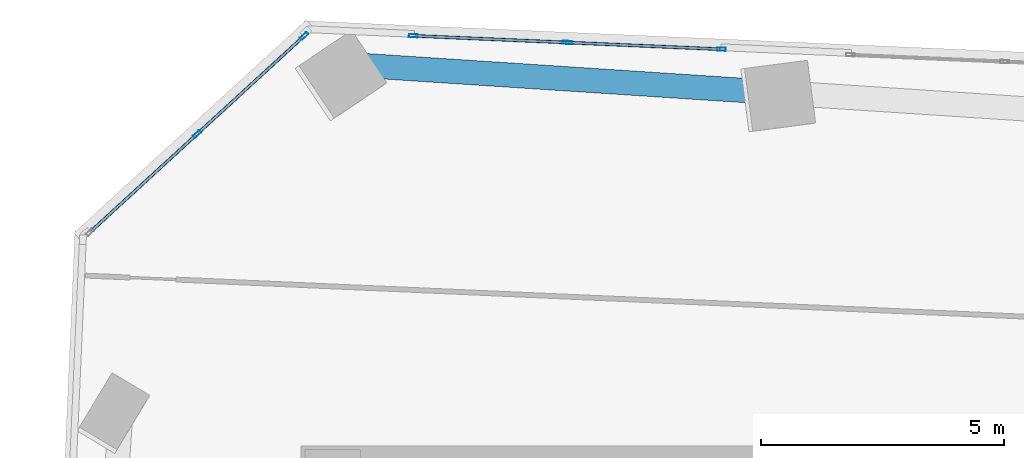
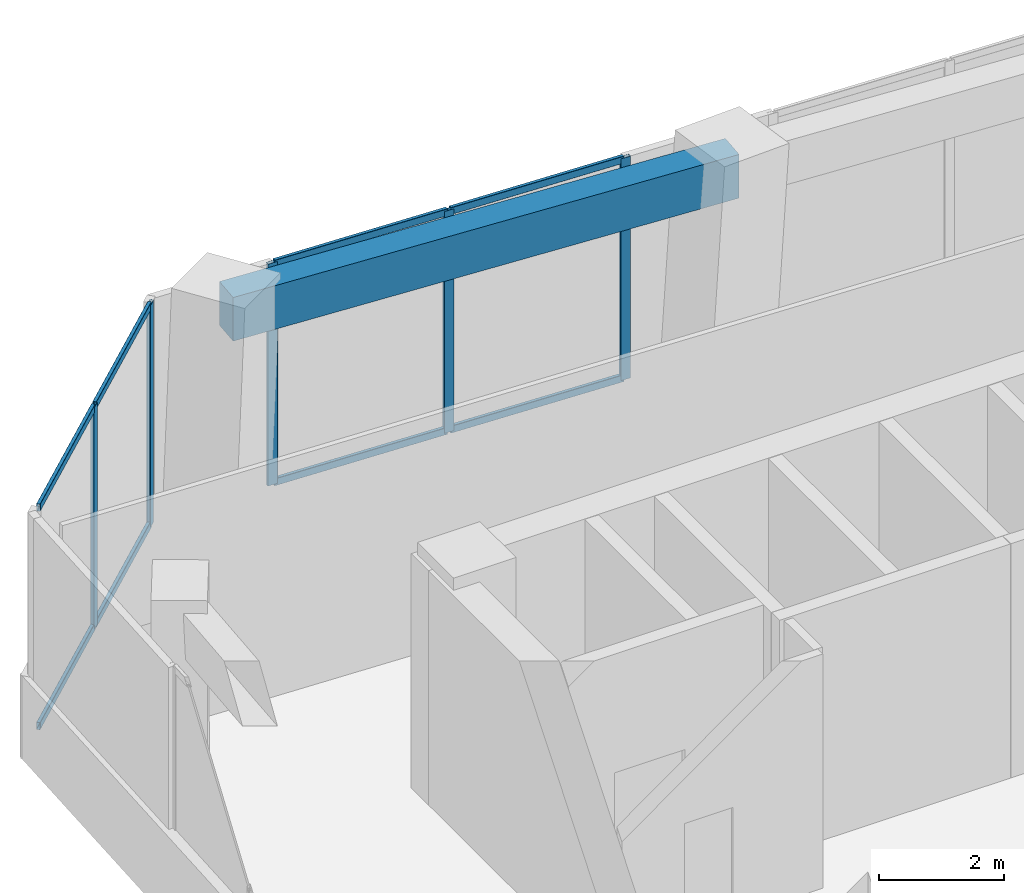
# One storey, part 16 of 27: 13 members, 1 beam, 2 elements without a shape of their own.
"""IFC4 building model written with IfcOpenShell, lengths in metres."""

from ifc_helpers import new_model, si_unit, direction, frame, origin, origin_2d, place, context, subcontext, project, spatial, rectangle, hollow_rectangle, extrude, source, transform, mapped, material, material_profile, profile_set, type_object, element, aggregate, save


model = new_model("IFC4")

# Units and contexts
model_context = context("Model", 3, precision=1e-05, world=origin(), true_north=direction((0.0, 1.0)))
body_context = subcontext(model_context, "Body", "Model", "MODEL_VIEW")
ifc_project = project(units=[si_unit("LENGTHUNIT", "METRE"), si_unit("AREAUNIT", "SQUARE_METRE"), si_unit("VOLUMEUNIT", "CUBIC_METRE"), si_unit("PLANEANGLEUNIT", "RADIAN"), si_unit("MASSUNIT", "GRAM", prefix="KILO")], contexts=[model_context])

# Site, building, storey
site_placement = place(None, origin())
site = spatial("IfcSite", under=ifc_project, at=site_placement, CompositionType="ELEMENT")
building_placement = place(site_placement, origin())
building = spatial("IfcBuilding", under=site, at=building_placement, Name="Torre Montelarca", CompositionType="ELEMENT")
storey_placement = place(building_placement, frame((0.0, 0.0, 37.60009765625)))
storey = spatial("IfcBuildingStorey", under=building, at=storey_placement, Name="L08", CompositionType="ELEMENT", Elevation=37.60009765625)

# Beam
ifc_material_1 = material(Name="Concrete C55/67", Category="concrete")
ifc_material_profile_1 = material_profile(ifc_material_1, rectangle(XDim=0.5, YDim=0.85009765625, at=origin_2d()), Name="RCB500X850", Category="concrete")
ifc_profile_set_1 = profile_set([ifc_material_profile_1], Name="Concrete C55/67")
beam_type = type_object("IfcBeamType", Name="BM-SP-RC850-EXT", PredefinedType="SPANDREL", material=ifc_profile_set_1)
shared_shape_1 = source(origin(), body_context, "Body", "SweptSolid", [
    extrude(rectangle(XDim=0.5, YDim=0.85009765625, at=origin_2d()), origin(), (0.0, 0.0, 1.0), 9.0),
])
beam_placement = place(storey_placement, frame((10.017578125, 47.93505859375, 4.135009765625), z_axis=(0.99785895206, -0.065402689504, 0.0), x_axis=(0.065402689504, 0.99785895206, 0.0)))
element("IfcBeam", 1, at=beam_placement, inside=storey, type_object=beam_type, Name="L08 Grid Girder X 9.0-18.0 at Y=47.1", PredefinedType="SPANDREL", context=body_context, shape_type="MappedRepresentation", body=[
    mapped(shared_shape_1, transform((0.0, 0.0, 0.0), scale=1.0)),
])

# Curtain wall, members
ifc_material_2 = material(Name="Insulated low-E laminated glass", Category="glass")
curtain_wall_type = type_object("IfcCurtainWallType", Name="CW-SYS-Z1", PredefinedType="USERDEFINED", material=ifc_material_2)
curtain_wall_1_placement = place(storey_placement, origin())
curtain_wall_1 = element("IfcCurtainWall", 2, at=curtain_wall_1_placement, inside=storey, type_object=curtain_wall_type, Name="L08 Curtain Wall Run CW-T3-L08-E09-B1", ObjectType="UNITISED GLAZING", PredefinedType="USERDEFINED")
ifc_material_3 = material(Name="Anodised aluminium AA 6063-T6", Category="aluminium")
ifc_material_profile_2 = material_profile(ifc_material_3, hollow_rectangle(XDim=0.06494140625, YDim=0.139892578125, WallThickness=0.00390625, InnerFilletRadius=0.00390625, OuterFilletRadius=0.008056640625, at=origin_2d()), Name="ALU65X140X4", Category="aluminium")
ifc_profile_set_2 = profile_set([ifc_material_profile_2], Name="Anodised aluminium AA 6063-T6")
member_type_1 = type_object("IfcMemberType", Name="CWT-ALU140", PredefinedType="USERDEFINED", material=ifc_profile_set_2)
shared_shape_2 = source(origin(), body_context, "Body", "SweptSolid", [
    extrude(hollow_rectangle(XDim=0.06494140625, YDim=0.139892578125, WallThickness=0.00390625, InnerFilletRadius=0.00390625, OuterFilletRadius=0.008056640625, at=origin_2d()), origin(), (0.0, 0.0, 1.0), 2.918701171875),
])
member_1_placement = place(storey_placement, frame((6.737060546875, 46.492919921875, 0.032470703125), z_axis=(-0.737258294732, -0.675610987809, 0.0), x_axis=(0.675610987809, -0.737258294732, 0.0)))
member_1 = element("IfcMember", 3, at=member_1_placement, type_object=member_type_1, Name="CW transom 2.1", ObjectType="TRANSOM", PredefinedType="USERDEFINED", context=body_context, shape_type="MappedRepresentation", body=[
    mapped(shared_shape_2, transform((0.0, 0.0, 0.0), scale=1.0)),
])
member_2_placement = place(storey_placement, frame((6.737060546875, 46.492919921875, 4.287353515625), z_axis=(-0.737258294732, -0.675610987809, 0.0), x_axis=(0.675610987809, -0.737258294732, 0.0)))
member_2 = element("IfcMember", 4, at=member_2_placement, type_object=member_type_1, Name="CW transom 2.2", ObjectType="TRANSOM", PredefinedType="USERDEFINED", context=body_context, shape_type="MappedRepresentation", body=[
    mapped(shared_shape_2, transform((0.0, 0.0, 0.0), scale=1.0)),
])
shared_shape_3 = source(origin(), body_context, "Body", "SweptSolid", [
    extrude(hollow_rectangle(XDim=0.06494140625, YDim=0.139892578125, WallThickness=0.00390625, InnerFilletRadius=0.00390625, OuterFilletRadius=0.008056640625, at=origin_2d()), origin(), (0.0, 0.0, 1.0), 2.91845703125),
])
member_3_placement = place(storey_placement, frame((8.936767578125, 48.508544921875, 0.032470703125), z_axis=(-0.737299959879, -0.675565518038, 0.0), x_axis=(0.675565518038, -0.737299959879, 0.0)))
member_3 = element("IfcMember", 5, at=member_3_placement, type_object=member_type_1, Name="CW transom 1.1", ObjectType="TRANSOM", PredefinedType="USERDEFINED", context=body_context, shape_type="MappedRepresentation", body=[
    mapped(shared_shape_3, transform((0.0, 0.0, 0.0), scale=1.0)),
])
member_4_placement = place(storey_placement, frame((8.936767578125, 48.508544921875, 4.287353515625), z_axis=(-0.737299959879, -0.675565518038, 0.0), x_axis=(0.675565518038, -0.737299959879, 0.0)))
member_4 = element("IfcMember", 6, at=member_4_placement, type_object=member_type_1, Name="CW transom 1.2", ObjectType="TRANSOM", PredefinedType="USERDEFINED", context=body_context, shape_type="MappedRepresentation", body=[
    mapped(shared_shape_3, transform((0.0, 0.0, 0.0), scale=1.0)),
])

curtain_wall_2_placement = place(storey_placement, origin())
curtain_wall_2 = element("IfcCurtainWall", 7, at=curtain_wall_2_placement, inside=storey, type_object=curtain_wall_type, Name="L08 Curtain Wall Run CW-T3-L08-E08-B4", ObjectType="UNITISED GLAZING", PredefinedType="USERDEFINED")
ifc_material_profile_3 = material_profile(ifc_material_3, hollow_rectangle(XDim=0.06494140625, YDim=0.179931640625, WallThickness=0.00390625, InnerFilletRadius=0.00390625, OuterFilletRadius=0.008056640625, at=origin_2d()), Name="ALU65X180X4", Category="aluminium")
ifc_profile_set_3 = profile_set([ifc_material_profile_3], Name="Anodised aluminium AA 6063-T6")
member_type_2 = type_object("IfcMemberType", Name="CWM-ALU180", PredefinedType="MULLION", material=ifc_profile_set_3)
shared_shape_4 = source(origin(), body_context, "Body", "SweptSolid", [
    extrude(hollow_rectangle(XDim=0.06494140625, YDim=0.179931640625, WallThickness=0.00390625, InnerFilletRadius=0.00390625, OuterFilletRadius=0.008056640625, at=origin_2d()), origin(), (0.0, 0.0, 1.0), 4.31982421875),
])
member_5_placement = place(storey_placement, frame((17.54296875, 48.258056640625, 0.0), z_axis=(0.0, 0.0, 1.0), x_axis=(-0.04362688641, -0.999047894138, 0.0)))
member_5 = element("IfcMember", 8, at=member_5_placement, type_object=member_type_2, Name="CW mullion 1", PredefinedType="MULLION", context=body_context, shape_type="MappedRepresentation", body=[
    mapped(shared_shape_4, transform((0.0, 0.0, 0.0), scale=1.0)),
])
member_6_placement = place(storey_placement, frame((14.375244140625, 48.396484375, 0.0), z_axis=(0.0, 0.0, 1.0), x_axis=(-0.04362688641, -0.999047894138, 0.0)))
member_6 = element("IfcMember", 9, at=member_6_placement, type_object=member_type_2, Name="CW mullion 2", PredefinedType="MULLION", context=body_context, shape_type="MappedRepresentation", body=[
    mapped(shared_shape_4, transform((0.0, 0.0, 0.0), scale=1.0)),
])
member_7_placement = place(storey_placement, frame((11.207275390625, 48.53466796875, 0.0), z_axis=(0.0, 0.0, 1.0), x_axis=(-0.04362688641, -0.999047894138, 0.0)))
member_7 = element("IfcMember", 10, at=member_7_placement, type_object=member_type_2, Name="CW mullion 3", PredefinedType="MULLION", context=body_context, shape_type="MappedRepresentation", body=[
    mapped(shared_shape_4, transform((0.0, 0.0, 0.0), scale=1.0)),
])

# Member
member_8_placement = place(storey_placement, frame((8.9609375, 48.530517578125, 0.0), z_axis=(0.0, 0.0, 1.0), x_axis=(0.67558349177, -0.737283490692, 0.0)))
member_8 = element("IfcMember", 11, at=member_8_placement, type_object=member_type_2, Name="CW mullion 1", PredefinedType="MULLION", context=body_context, shape_type="MappedRepresentation", body=[
    mapped(shared_shape_4, transform((0.0, 0.0, 0.0), scale=1.0)),
])

member_9_placement = place(storey_placement, frame((6.760986328125, 46.514892578125, 0.0), z_axis=(0.0, 0.0, 1.0), x_axis=(0.67558349177, -0.737283490692, 0.0)))
member_9 = element("IfcMember", 12, at=member_9_placement, type_object=member_type_2, Name="CW mullion 2", PredefinedType="MULLION", context=body_context, shape_type="MappedRepresentation", body=[
    mapped(shared_shape_4, transform((0.0, 0.0, 0.0), scale=1.0)),
])

aggregate(curtain_wall_1, [member_8, member_9, member_3, member_4, member_1, member_2])

shared_shape_5 = source(origin(), body_context, "Body", "SweptSolid", [
    extrude(hollow_rectangle(XDim=0.06494140625, YDim=0.139892578125, WallThickness=0.00390625, InnerFilletRadius=0.00390625, OuterFilletRadius=0.008056640625, at=origin_2d()), origin(), (0.0, 0.0, 1.0), 3.105712890625),
])
member_10_placement = place(storey_placement, frame((17.510498046875, 48.259521484375, 0.032470703125), z_axis=(-0.999047834184, 0.043628259342, 0.0), x_axis=(-0.043628259342, -0.999047834184, 0.0)))
member_10 = element("IfcMember", 13, at=member_10_placement, type_object=member_type_1, Name="CW transom 1.1", ObjectType="TRANSOM", PredefinedType="USERDEFINED", context=body_context, shape_type="MappedRepresentation", body=[
    mapped(shared_shape_5, transform((0.0, 0.0, 0.0), scale=1.0)),
])

member_11_placement = place(storey_placement, frame((17.510498046875, 48.259521484375, 4.287353515625), z_axis=(-0.999047834184, 0.043628259342, 0.0), x_axis=(-0.043628259342, -0.999047834184, 0.0)))
member_11 = element("IfcMember", 14, at=member_11_placement, type_object=member_type_1, Name="CW transom 1.2", ObjectType="TRANSOM", PredefinedType="USERDEFINED", context=body_context, shape_type="MappedRepresentation", body=[
    mapped(shared_shape_5, transform((0.0, 0.0, 0.0), scale=1.0)),
])

shared_shape_6 = source(origin(), body_context, "Body", "SweptSolid", [
    extrude(hollow_rectangle(XDim=0.06494140625, YDim=0.139892578125, WallThickness=0.00390625, InnerFilletRadius=0.00390625, OuterFilletRadius=0.008056640625, at=origin_2d()), origin(), (0.0, 0.0, 1.0), 3.10595703125),
])
member_12_placement = place(storey_placement, frame((14.3427734375, 48.39794921875, 0.032470703125), z_axis=(-0.999047983793, 0.043624833281, 0.0), x_axis=(-0.043624833281, -0.999047983793, 0.0)))
member_12 = element("IfcMember", 15, at=member_12_placement, type_object=member_type_1, Name="CW transom 2.1", ObjectType="TRANSOM", PredefinedType="USERDEFINED", context=body_context, shape_type="MappedRepresentation", body=[
    mapped(shared_shape_6, transform((0.0, 0.0, 0.0), scale=1.0)),
])

member_13_placement = place(storey_placement, frame((14.3427734375, 48.39794921875, 4.287353515625), z_axis=(-0.999047983793, 0.043624833281, 0.0), x_axis=(-0.043624833281, -0.999047983793, 0.0)))
member_13 = element("IfcMember", 16, at=member_13_placement, type_object=member_type_1, Name="CW transom 2.2", ObjectType="TRANSOM", PredefinedType="USERDEFINED", context=body_context, shape_type="MappedRepresentation", body=[
    mapped(shared_shape_6, transform((0.0, 0.0, 0.0), scale=1.0)),
])

aggregate(curtain_wall_2, [member_5, member_6, member_7, member_10, member_11, member_12, member_13])

save(model, "model.ifc")
